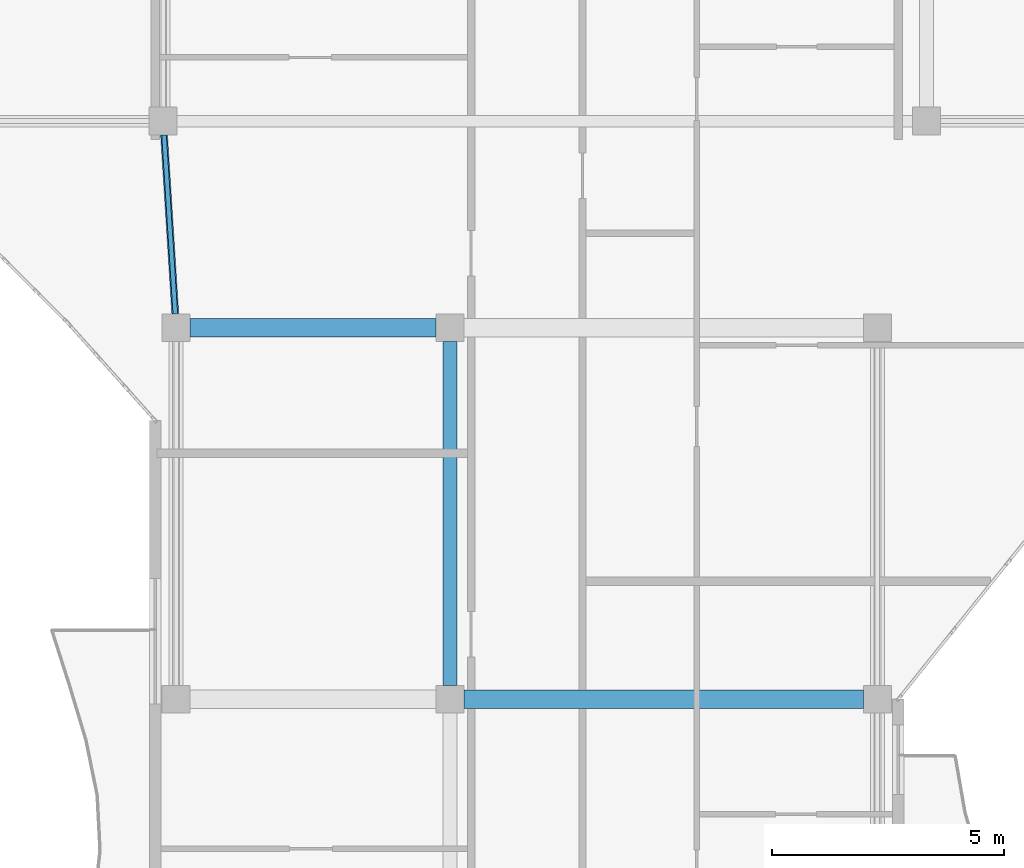
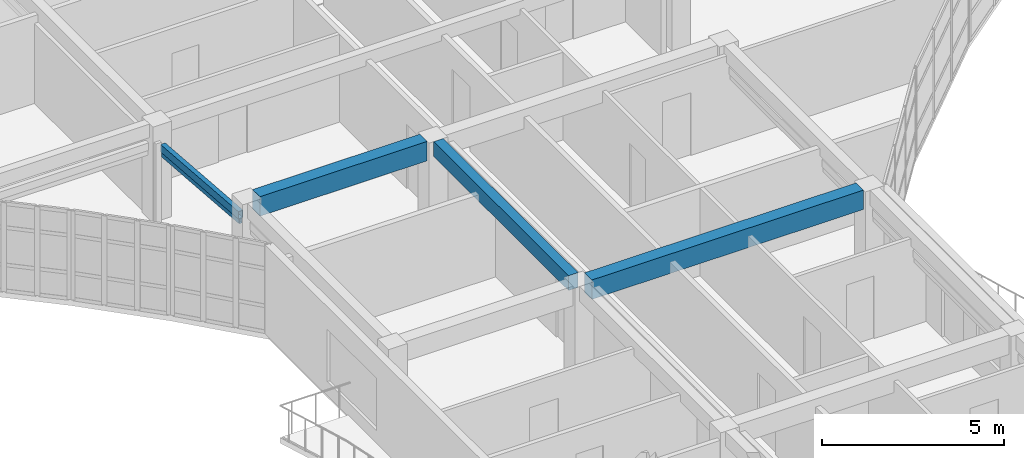
# One storey, part 6 of 76: 3 beams, 2 members.
"""IFC4 building model written with IfcOpenShell, lengths in metres."""

from ifc_helpers import new_model, si_unit, direction, frame, origin, origin_2d, place, context, subcontext, project, spatial, rectangle, hollow_rectangle, extrude, material, material_profile, profile_set, type_object, element, save


model = new_model("IFC4")

# Units and contexts
model_context = context("Model", 3, precision=1e-05, world=origin(), true_north=direction((0.0, 1.0)))
body_context = subcontext(model_context, "Body", "Model", "MODEL_VIEW")
ifc_project = project(units=[si_unit("LENGTHUNIT", "METRE"), si_unit("AREAUNIT", "SQUARE_METRE"), si_unit("VOLUMEUNIT", "CUBIC_METRE"), si_unit("PLANEANGLEUNIT", "RADIAN"), si_unit("MASSUNIT", "GRAM", prefix="KILO")], contexts=[model_context])

# Site, building, storey
site_placement = place(None, origin())
site = spatial("IfcSite", under=ifc_project, at=site_placement, CompositionType="ELEMENT")
building_placement = place(site_placement, origin())
building = spatial("IfcBuilding", under=site, at=building_placement, Name="Keldmere Railside Commons", CompositionType="ELEMENT")
storey_placement = place(building_placement, frame((0.0, 0.0, 13.760009765625)))
storey = spatial("IfcBuildingStorey", under=building, at=storey_placement, Name="L04", CompositionType="ELEMENT", Elevation=13.760009765625)

# Member
ifc_material_1 = material(Name="Steel F-36 (S355)", Category="steel")
ifc_material_profile_1 = material_profile(ifc_material_1, hollow_rectangle(XDim=0.14990234375, YDim=0.25, WallThickness=0.010009765625, at=origin_2d()), Name="RHS-250x150x10")
ifc_profile_set_1 = profile_set([ifc_material_profile_1], Name="Steel F-36 (S355)")
member_type_1 = type_object("IfcMemberType", Name="Balcony Continuous Planted Trough RHS250x150", PredefinedType="CHORD", material=ifc_profile_set_1)
member_1_placement = place(storey_placement, frame((48.43115234375, 96.29931640625, 2.4150390625), z_axis=(-0.06282335906, 0.998024661798, 0.0), x_axis=(-0.998024661798, -0.06282335906, 0.0)))
element("IfcMember", 1, at=member_1_placement, inside=storey, type_object=member_type_1, Name="PLT-1 MEM-BPLT-0491", PredefinedType="CHORD", context=body_context, shape_type="SweptSolid", body=[
    extrude(hollow_rectangle(XDim=0.14990234375, YDim=0.25, WallThickness=0.010009765625, at=origin_2d()), origin(), (0.0, 0.0, 1.0), 3.85888671875),
])

# Beams
ifc_material_2 = material(Name="Concrete H-30 (C30/37)", Category="concrete")
ifc_material_profile_2 = material_profile(ifc_material_2, rectangle(XDim=0.39990234375, YDim=0.64990234375, at=origin_2d()), Name="RC-400x650")
ifc_profile_set_2 = profile_set([ifc_material_profile_2], Name="Concrete H-30 (C30/37)")
beam_type_1 = type_object("IfcBeamType", Name="Residential Spine RC Girder 400x650", PredefinedType="BEAM", material=ifc_profile_set_2)
beam_1_placement = place(storey_placement, frame((54.64990234375, 88.0, 2.875), z_axis=(1.0, 0.0, 0.0), x_axis=(0.0, 1.0, 0.0)))
element("IfcBeam", 2, at=beam_1_placement, inside=storey, type_object=beam_type_1, Name="BG-3 BM-L04-1541", PredefinedType="BEAM", context=body_context, shape_type="SweptSolid", body=[
    extrude(rectangle(XDim=0.39990234375, YDim=0.64990234375, at=origin_2d()), origin(), (0.0, 0.0, 1.0), 8.60009765625),
])
beam_2_placement = place(storey_placement, frame((48.75, 96.0, 2.875), z_axis=(1.0, 0.0, 0.0), x_axis=(0.0, 1.0, 0.0)))
element("IfcBeam", 3, at=beam_2_placement, inside=storey, type_object=beam_type_1, Name="BG-3 BM-L04-1548", PredefinedType="BEAM", context=body_context, shape_type="SweptSolid", body=[
    extrude(rectangle(XDim=0.39990234375, YDim=0.64990234375, at=origin_2d()), origin(), (0.0, 0.0, 1.0), 5.300048828125),
])
ifc_material_profile_3 = material_profile(ifc_material_2, rectangle(XDim=0.300048828125, YDim=0.5, at=origin_2d()), Name="RC-300x500")
ifc_profile_set_3 = profile_set([ifc_material_profile_3], Name="Concrete H-30 (C30/37)")
beam_type_2 = type_object("IfcBeamType", Name="Secondary Frame RC Beam 300x500", PredefinedType="BEAM", material=ifc_profile_set_3)
beam_3_placement = place(storey_placement, frame((54.35009765625, 88.300048828125, 2.949951171875), z_axis=(0.0, 1.0, 0.0), x_axis=(-1.0, 0.0, 0.0)))
element("IfcBeam", 4, at=beam_3_placement, inside=storey, type_object=beam_type_2, Name="BG-5 BM-L04-1631", PredefinedType="BEAM", context=body_context, shape_type="SweptSolid", body=[
    extrude(rectangle(XDim=0.300048828125, YDim=0.5, at=origin_2d()), origin(), (0.0, 0.0, 1.0), 7.39990234375),
])

# Member
ifc_material_profile_4 = material_profile(ifc_material_1, hollow_rectangle(XDim=0.10009765625, YDim=0.159912109375, WallThickness=0.008056640625, at=origin_2d()), Name="RHS-160x100x8")
ifc_profile_set_4 = profile_set([ifc_material_profile_4], Name="Steel F-36 (S355)")
member_type_2 = type_object("IfcMemberType", Name="Solar Brise-Soleil Louvre Fin RHS160x100", PredefinedType="STRUT", material=ifc_profile_set_4)
member_2_placement = place(storey_placement, frame((48.43115234375, 96.29931640625, 2.199951171875), z_axis=(-0.06282335906, 0.998024661798, 0.0), x_axis=(-0.998024661798, -0.06282335906, 0.0)))
element("IfcMember", 5, at=member_2_placement, inside=storey, type_object=member_type_2, Name="BSF-1 MEM-BSF-0492", PredefinedType="STRUT", context=body_context, shape_type="SweptSolid", body=[
    extrude(hollow_rectangle(XDim=0.10009765625, YDim=0.159912109375, WallThickness=0.008056640625, at=origin_2d()), origin(), (0.0, 0.0, 1.0), 3.85888671875),
])

save(model, "model.ifc")
